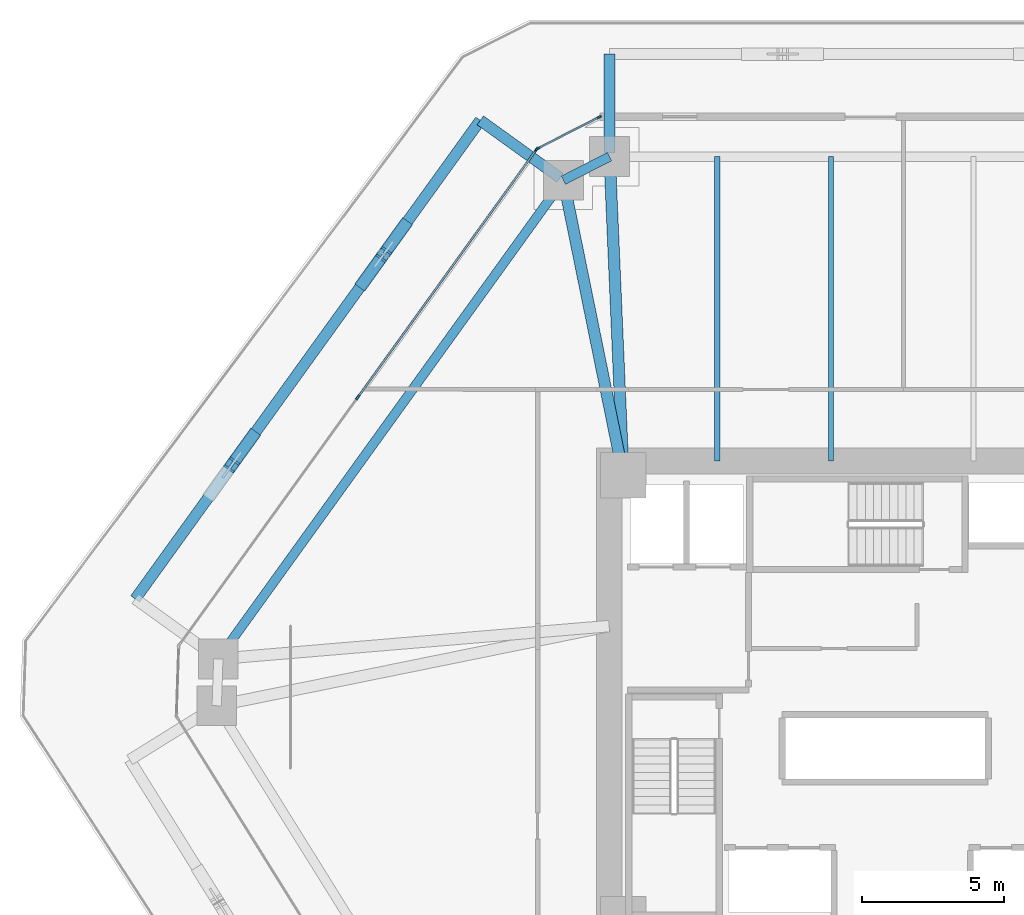
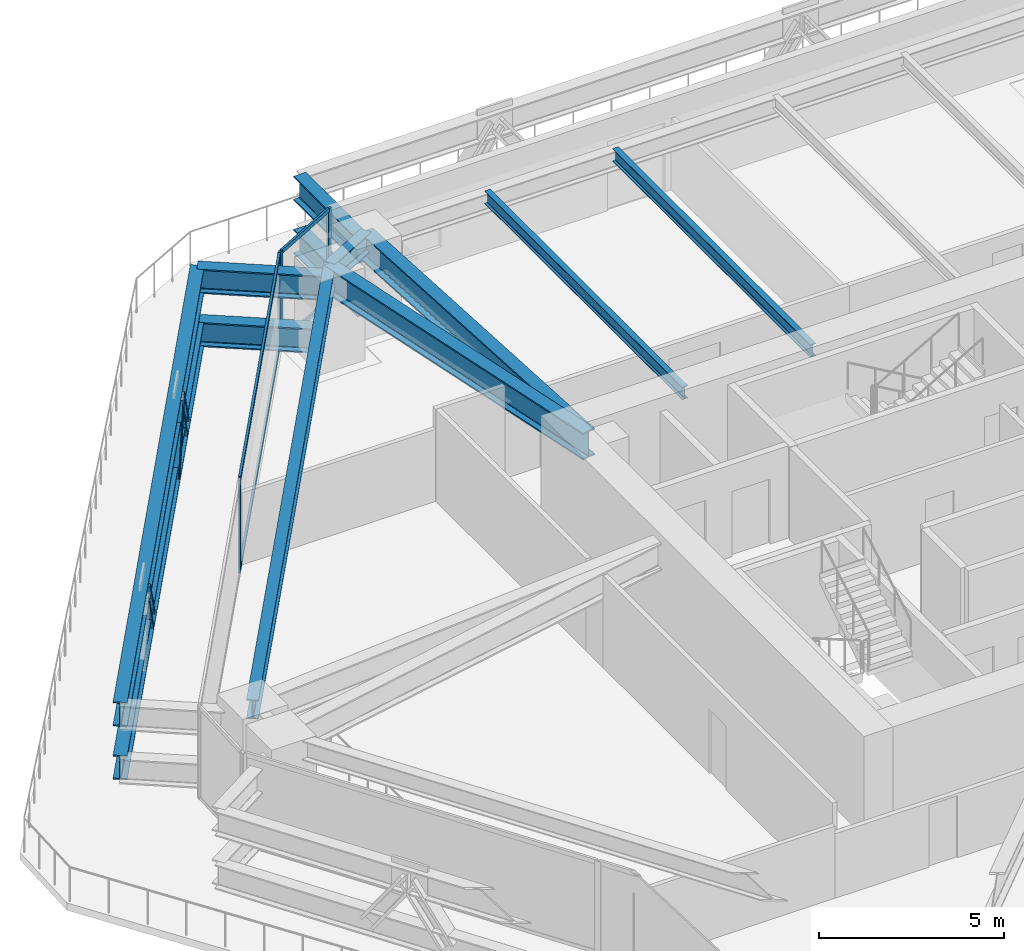
# One storey, part 7 of 20: 12 beams, 11 members, 2 elements without a shape of their own.
"""IFC4 building model written with IfcOpenShell, lengths in metres."""

from ifc_helpers import new_model, si_unit, direction, frame, origin, origin_2d, place, context, subcontext, project, spatial, rectangle, i_section, extrude, source, transform, mapped, material, layer, layer_set, material_profile, profile_set, type_object, type_shapes, element, aggregate, save


model = new_model("IFC4")

# Units and contexts
model_context = context("Model", 3, precision=1e-05, world=origin(), true_north=direction((0.0, 1.0)))
body_context = subcontext(model_context, "Body", "Model", "MODEL_VIEW")
ifc_project = project(units=[si_unit("LENGTHUNIT", "METRE"), si_unit("AREAUNIT", "SQUARE_METRE"), si_unit("VOLUMEUNIT", "CUBIC_METRE"), si_unit("PLANEANGLEUNIT", "RADIAN"), si_unit("MASSUNIT", "GRAM", prefix="KILO")], contexts=[model_context])

# Site, building, storey
site_placement = place(None, origin())
site = spatial("IfcSite", under=ifc_project, at=site_placement, CompositionType="ELEMENT")
building_placement = place(site_placement, origin())
building = spatial("IfcBuilding", under=site, at=building_placement, Name="Durnholm Broadcast Tower", CompositionType="ELEMENT")
storey_placement = place(building_placement, frame((0.0, 0.0, 32.39990234375)))
storey = spatial("IfcBuildingStorey", under=building, at=storey_placement, Name="L06", CompositionType="ELEMENT", Elevation=32.39990234375)

# Beams
ifc_material_1 = material(Name="Steel ASTM A992 Grade 50", Category="steel")
ifc_material_profile_1 = material_profile(ifc_material_1, i_section(OverallWidth=0.3291015625, OverallDepth=0.635009765625, WebThickness=0.017822265625, FlangeThickness=0.031005859375, FilletRadius=0.02783203125, at=origin_2d()), Name="W24X162")
ifc_profile_set_1 = profile_set([ifc_material_profile_1], Name="Steel ASTM A992 Grade 50")
beam_type_1 = type_object("IfcBeamType", Name="STL-SP-W24X162", PredefinedType="SPANDREL", material=ifc_profile_set_1)
shared_shape_1 = source(origin(), body_context, "Body", "SweptSolid", [
    extrude(i_section(OverallWidth=0.3291015625, OverallDepth=0.635009765625, WebThickness=0.017822265625, FlangeThickness=0.031005859375, FilletRadius=0.02783203125, at=origin_2d()), origin(), (0.0, 0.0, 1.0), 20.737060546875),
])
beam_1_placement = place(storey_placement, frame((-24.034912109375, 1.347412109375, 2.7275390625), z_axis=(0.584821933191, 0.811161701795, 0.0), x_axis=(-0.811161701795, 0.584821933191, 0.0)))
element("IfcBeam", 1, at=beam_1_placement, inside=storey, type_object=beam_type_1, Name="L06 perimeter spandrel girder 03", PredefinedType="SPANDREL", context=body_context, shape_type="MappedRepresentation", body=[
    mapped(shared_shape_1, transform((0.0, 0.0, 0.0), x_axis=(1.0, 0.0, 0.0), y_axis=(0.0, 1.0, 0.0), z_axis=(0.0, 0.0, 1.0), scale=1.0)),
])
shared_shape_2 = source(origin(), body_context, "Body", "SweptSolid", [
    extrude(i_section(OverallWidth=0.3291015625, OverallDepth=0.635009765625, WebThickness=0.017822265625, FlangeThickness=0.031005859375, FilletRadius=0.02783203125, at=origin_2d()), origin(), (0.0, 0.0, 1.0), 1.8251953125),
])
type_shapes(beam_type_1, [shared_shape_1, shared_shape_2])
beam_2_placement = place(storey_placement, frame((-11.907470703125, 18.16845703125, 2.7275390625), z_axis=(0.890187609501, 0.455594139438, 0.0), x_axis=(-0.455594139438, 0.890187609501, 0.0)))
element("IfcBeam", 2, at=beam_2_placement, inside=storey, type_object=beam_type_1, Name="L06 perimeter spandrel girder 04", PredefinedType="SPANDREL", context=body_context, shape_type="MappedRepresentation", body=[
    mapped(shared_shape_2, transform((0.0, 0.0, 0.0), x_axis=(1.0, 0.0, 0.0), y_axis=(0.0, 1.0, 0.0), z_axis=(0.0, 0.0, 1.0), scale=1.0)),
])
ifc_material_profile_2 = material_profile(ifc_material_1, i_section(OverallWidth=0.404052734375, OverallDepth=0.885009765625, WebThickness=0.0244140625, FlangeThickness=0.0439453125, FilletRadius=0.03564453125, at=origin_2d()), Name="W33X291")
ifc_profile_set_2 = profile_set([ifc_material_profile_2], Name="Steel ASTM A992 Grade 50")
beam_type_2 = type_object("IfcBeamType", Name="STL-GR-W33X291", PredefinedType="USERDEFINED", material=ifc_profile_set_2)
shared_shape_3 = source(origin(), body_context, "Body", "SweptSolid", [
    extrude(i_section(OverallWidth=0.404052734375, OverallDepth=0.885009765625, WebThickness=0.0244140625, FlangeThickness=0.0439453125, FilletRadius=0.03564453125, at=origin_2d()), origin(), (0.0, 0.0, 1.0), 10.580322265625),
])
beam_3_placement = place(storey_placement, frame((-9.800048828125, 7.800048828125, 2.6025390625), z_axis=(-0.199181458925, 0.979962625012, 0.0), x_axis=(-0.979962625012, -0.199181458925, 0.0)))
element("IfcBeam", 3, at=beam_3_placement, inside=storey, type_object=beam_type_2, Name="L06 radial primary floor girder 04", ObjectType="GIRDER", PredefinedType="USERDEFINED", context=body_context, shape_type="MappedRepresentation", body=[
    mapped(shared_shape_3, transform((0.0, 0.0, 0.0), x_axis=(1.0, 0.0, 0.0), y_axis=(0.0, 1.0, 0.0), z_axis=(0.0, 0.0, 1.0), scale=1.0)),
])
shared_shape_4 = source(origin(), body_context, "Body", "SweptSolid", [
    extrude(i_section(OverallWidth=0.404052734375, OverallDepth=0.885009765625, WebThickness=0.0244140625, FlangeThickness=0.0439453125, FilletRadius=0.03564453125, at=origin_2d()), origin(), (0.0, 0.0, 1.0), 11.21044921875),
])
type_shapes(beam_type_2, [shared_shape_3, shared_shape_4])
beam_4_placement = place(storey_placement, frame((-9.800048828125, 7.800048828125, 2.6025390625), z_axis=(-0.043055404914, 0.999072686098, 0.0), x_axis=(-0.999072686098, -0.043055404914, 0.0)))
element("IfcBeam", 4, at=beam_4_placement, inside=storey, type_object=beam_type_2, Name="L06 radial primary floor girder 05", ObjectType="GIRDER", PredefinedType="USERDEFINED", context=body_context, shape_type="MappedRepresentation", body=[
    mapped(shared_shape_4, transform((0.0, 0.0, 0.0), x_axis=(1.0, 0.0, 0.0), y_axis=(0.0, 1.0, 0.0), z_axis=(0.0, 0.0, 1.0), scale=1.0)),
])
ifc_material_profile_3 = material_profile(ifc_material_1, i_section(OverallWidth=0.180908203125, OverallDepth=0.417236328125, WebThickness=0.010986328125, FlangeThickness=0.018310546875, FilletRadius=0.01904296875, at=origin_2d()), Name="W16X57")
ifc_profile_set_3 = profile_set([ifc_material_profile_3], Name="Steel ASTM A992 Grade 50")
beam_type_3 = type_object("IfcBeamType", Name="STL-BJ-W16X57", PredefinedType="JOIST", material=ifc_profile_set_3)
shared_shape_5 = source(origin(), body_context, "Body", "SweptSolid", [
    extrude(i_section(OverallWidth=0.180908203125, OverallDepth=0.417236328125, WebThickness=0.010986328125, FlangeThickness=0.018310546875, FilletRadius=0.01904296875, at=origin_2d()), origin(), (0.0, 0.0, 1.0), 10.699951171875),
])
type_shapes(beam_type_3, [shared_shape_5])
for number, where, z_axis, x_axis, name in (
    (5, (-6.5, 8.300048828125, 2.83642578125), (0.0, 1.0, 0.0), (-1.0, 0.0, 0.0), "L06 secondary floor joist 4.2"),
    (6, (-2.5, 8.300048828125, 2.83642578125), (0.0, 1.0, 0.0), (-1.0, 0.0, 0.0), "L06 secondary floor joist 5.2"),
):
    element("IfcBeam", number, at=place(storey_placement, frame(where, z_axis=z_axis, x_axis=x_axis)), inside=storey, type_object=beam_type_3, Name=name, PredefinedType="JOIST", context=body_context, shape_type="MappedRepresentation", body=[
        mapped(shared_shape_5, transform((0.0, 0.0, 0.0), x_axis=(1.0, 0.0, 0.0), y_axis=(0.0, 1.0, 0.0), z_axis=(0.0, 0.0, 1.0), scale=1.0)),
    ])
ifc_material_profile_4 = material_profile(ifc_material_1, i_section(OverallWidth=0.385009765625, OverallDepth=0.802978515625, WebThickness=0.023681640625, FlangeThickness=0.0419921875, FilletRadius=0.032958984375, at=origin_2d()), Name="W30X261")
ifc_profile_set_4 = profile_set([ifc_material_profile_4], Name="Steel ASTM A992 Grade 50")
beam_type_4 = type_object("IfcBeamType", Name="BM-EXO-TIE", PredefinedType="USERDEFINED", material=ifc_profile_set_4)
shared_shape_6 = source(origin(), body_context, "Body", "SweptSolid", [
    extrude(i_section(OverallWidth=0.385009765625, OverallDepth=0.802978515625, WebThickness=0.023681640625, FlangeThickness=0.0419921875, FilletRadius=0.032958984375, at=origin_2d()), origin(), (0.0, 0.0, 1.0), 3.4560546875),
])
for number, where, z_axis, x_axis, name in (
    (7, (-10.28271484375, 19.14404296875, 0.550048828125), (0.0, 1.0, 0.0), (-1.0, 0.0, 0.0), "L06 zone-base exoskeleton stand-off tie bracket F4.2"),
    (8, (-10.28271484375, 19.14404296875, 2.30859375), (0.0, 1.0, 0.0), (-1.0, 0.0, 0.0), "L06 exoskeleton stand-off tie bracket F4.2"),
    (9, (-12.024169921875, 18.252685546875, 0.550048828125), (-0.811157675106, 0.584827518262, 0.0), (-0.584827518262, -0.811157675106, 0.0), "L06 zone-base exoskeleton stand-off tie bracket F5.1"),
    (10, (-12.024169921875, 18.252685546875, 2.30859375), (-0.811157675106, 0.584827518262, 0.0), (-0.584827518262, -0.811157675106, 0.0), "L06 exoskeleton stand-off tie bracket F5.1"),
):
    element("IfcBeam", number, at=place(storey_placement, frame(where, z_axis=z_axis, x_axis=x_axis)), inside=storey, type_object=beam_type_4, Name=name, ObjectType="GIRDER", PredefinedType="USERDEFINED", context=body_context, shape_type="MappedRepresentation", body=[
        mapped(shared_shape_6, transform((0.0, 0.0, 0.0), x_axis=(1.0, 0.0, 0.0), y_axis=(0.0, 1.0, 0.0), z_axis=(0.0, 0.0, 1.0), scale=1.0)),
    ])

# Members
ifc_material_2 = material(Name="Steel ASTM A913 Grade 65", Category="steel")
ifc_material_profile_5 = material_profile(ifc_material_2, i_section(OverallWidth=0.43212890625, OverallDepth=0.497802734375, WebThickness=0.0556640625, FlangeThickness=0.0888671875, FilletRadius=0.030517578125, at=origin_2d()), Name="W14X500")
ifc_profile_set_5 = profile_set([ifc_material_profile_5], Name="Steel ASTM A913 Grade 65")
member_type_1 = type_object("IfcMemberType", Name="STL-DG-W14X500", PredefinedType="BRACE", material=ifc_profile_set_5)
shared_shape_7 = source(origin(), body_context, "Body", "SweptSolid", [
    extrude(i_section(OverallWidth=0.43212890625, OverallDepth=0.497802734375, WebThickness=0.0556640625, FlangeThickness=0.0888671875, FilletRadius=0.030517578125, at=origin_2d()), origin(), (0.0, 0.0, 1.0), 2.148193359375),
])
type_shapes(member_type_1, [shared_shape_7])
for number, where, z_axis, x_axis, name in (
    (11, (-17.501708984375, 16.564697265625, 0.550048828125), (-0.335946084323, -0.465846752247, 0.818612870562), (0.81109123444, -0.58491966065, 0.0), "L06 stand-off diagrid brace F5.D1.1"),
    (12, (-18.94482421875, 14.563232421875, 0.550048828125), (0.335845256058, 0.465864536237, 0.818644121618), (-0.811185111535, 0.584789461963, 0.0), "L06 stand-off diagrid brace F5.D1.2"),
    (13, (-22.837890625, 9.163330078125, 0.550048828125), (-0.335946084323, -0.465846752247, 0.818612870562), (0.81109123444, -0.58491966065, 0.0), "L06 stand-off diagrid brace F5.D2.1"),
):
    element("IfcMember", number, at=place(storey_placement, frame(where, z_axis=z_axis, x_axis=x_axis)), inside=storey, type_object=member_type_1, Name=name, PredefinedType="BRACE", context=body_context, shape_type="MappedRepresentation", body=[
        mapped(shared_shape_7, transform((0.0, 0.0, 0.0), x_axis=(1.0, 0.0, 0.0), y_axis=(0.0, 1.0, 0.0), z_axis=(0.0, 0.0, 1.0), scale=1.0)),
    ])

# Beams
shared_shape_8 = source(origin(), body_context, "Body", "SweptSolid", [
    extrude(i_section(OverallWidth=0.385009765625, OverallDepth=0.802978515625, WebThickness=0.023681640625, FlangeThickness=0.0419921875, FilletRadius=0.032958984375, at=origin_2d()), origin(), (0.0, 0.0, 1.0), 20.737060546875),
])
type_shapes(beam_type_4, [shared_shape_6, shared_shape_8])
for number, where, z_axis, x_axis, name in (
    (14, (-14.82763671875, 20.27392578125, 0.550048828125), (-0.5848163482, -0.811165728368, 0.0), (0.811165728368, -0.5848163482, 0.0), "L06 zone-base exoskeleton collector spandrel F5"),
    (15, (-14.82763671875, 20.27392578125, 2.30859375), (-0.5848163482, -0.811165728368, 0.0), (0.811165728368, -0.5848163482, 0.0), "L06 exoskeleton collector spandrel F5"),
):
    element("IfcBeam", number, at=place(storey_placement, frame(where, z_axis=z_axis, x_axis=x_axis)), inside=storey, type_object=beam_type_4, Name=name, PredefinedType="SPANDREL", context=body_context, shape_type="MappedRepresentation", body=[
        mapped(shared_shape_8, transform((0.0, 0.0, 0.0), x_axis=(1.0, 0.0, 0.0), y_axis=(0.0, 1.0, 0.0), z_axis=(0.0, 0.0, 1.0), scale=1.0)),
    ])

# Curtain wall, members
ifc_material_3 = material(Name="Aluminium and Solar Control IGU", Category="aluminium")
ifc_layer_1 = layer(ifc_material_3, 0.1650390625)
ifc_layer_set_1 = layer_set([ifc_layer_1], Name="Aluminium and Solar Control IGU")
curtain_wall_type_1 = type_object("IfcCurtainWallType", Name="CW-SYS-5", PredefinedType="NOTDEFINED", material=ifc_layer_set_1)
curtain_wall_1_placement = place(storey_placement, origin())
curtain_wall_1 = element("IfcCurtainWall", 16, at=curtain_wall_1_placement, inside=storey, type_object=curtain_wall_type_1, Name="L06 curtain wall CW-CORNER CW-L06-CRN-03", PredefinedType="NOTDEFINED")
ifc_material_4 = material(Name="Aluminium 6063-T6", Category="aluminium")
ifc_material_profile_6 = material_profile(ifc_material_4, rectangle(XDim=0.06494140625, YDim=0.1650390625, at=origin_2d()), Name="CWM65X165")
ifc_profile_set_6 = profile_set([ifc_material_profile_6], Name="Aluminium 6063-T6")
member_type_2 = type_object("IfcMemberType", Name="CW-SYS-5-MUL", PredefinedType="MULLION", material=ifc_profile_set_6)
shared_shape_9 = source(origin(), body_context, "Body", "SweptSolid", [
    extrude(rectangle(XDim=0.06494140625, YDim=0.1650390625, at=origin_2d()), origin(), (0.0, 0.0, 1.0), 3.06005859375),
])
type_shapes(member_type_2, [shared_shape_9])
member_1_placement = place(storey_placement, frame((-12.816650390625, 19.27587890625, 0.0), z_axis=(0.0, 0.0, 1.0), x_axis=(-0.455593758406, 0.890187804512, 0.0)))
member_1 = element("IfcMember", 17, at=member_1_placement, type_object=member_type_2, Name="CW-CORNER mullion 1", PredefinedType="MULLION", context=body_context, shape_type="MappedRepresentation", body=[
    mapped(shared_shape_9, transform((0.0, 0.0, 0.0), x_axis=(1.0, 0.0, 0.0), y_axis=(0.0, 1.0, 0.0), z_axis=(0.0, 0.0, 1.0), scale=1.0)),
])
member_2_placement = place(storey_placement, frame((-10.649169921875, 20.38525390625, 0.0), z_axis=(0.0, 0.0, 1.0), x_axis=(-0.455593758406, 0.890187804512, 0.0)))
member_2 = element("IfcMember", 18, at=member_2_placement, type_object=member_type_2, Name="CW-CORNER mullion 2", PredefinedType="MULLION", context=body_context, shape_type="MappedRepresentation", body=[
    mapped(shared_shape_9, transform((0.0, 0.0, 0.0), x_axis=(1.0, 0.0, 0.0), y_axis=(0.0, 1.0, 0.0), z_axis=(0.0, 0.0, 1.0), scale=1.0)),
])
ifc_material_profile_7 = material_profile(ifc_material_4, rectangle(XDim=0.06494140625, YDim=0.1298828125, at=origin_2d()), Name="CWT65X130")
ifc_profile_set_7 = profile_set([ifc_material_profile_7], Name="Aluminium 6063-T6")
member_type_3 = type_object("IfcMemberType", Name="CW-SYS-5-TRN", PredefinedType="USERDEFINED", material=ifc_profile_set_7)
shared_shape_10 = source(origin(), body_context, "Body", "SweptSolid", [
    extrude(rectangle(XDim=0.06494140625, YDim=0.1298828125, at=origin_2d()), origin(), (0.0, 0.0, 1.0), 2.3701171875),
])
type_shapes(member_type_3, [shared_shape_10])
member_3_placement = place(storey_placement, frame((-12.787841796875, 19.29052734375, 0.03271484375), z_axis=(0.890185016934, 0.455599205033, 0.0), x_axis=(-0.455599205033, 0.890185016934, 0.0)))
member_3 = element("IfcMember", 19, at=member_3_placement, type_object=member_type_3, Name="CW-CORNER transom 1.1", ObjectType="TRANSOM", PredefinedType="USERDEFINED", context=body_context, shape_type="MappedRepresentation", body=[
    mapped(shared_shape_10, transform((0.0, 0.0, 0.0), x_axis=(1.0, 0.0, 0.0), y_axis=(0.0, 1.0, 0.0), z_axis=(0.0, 0.0, 1.0), scale=1.0)),
])
member_4_placement = place(storey_placement, frame((-12.787841796875, 19.29052734375, 3.027587890625), z_axis=(0.890185016934, 0.455599205033, 0.0), x_axis=(-0.455599205033, 0.890185016934, 0.0)))
member_4 = element("IfcMember", 20, at=member_4_placement, type_object=member_type_3, Name="CW-CORNER transom 1.2", ObjectType="TRANSOM", PredefinedType="USERDEFINED", context=body_context, shape_type="MappedRepresentation", body=[
    mapped(shared_shape_10, transform((0.0, 0.0, 0.0), x_axis=(1.0, 0.0, 0.0), y_axis=(0.0, 1.0, 0.0), z_axis=(0.0, 0.0, 1.0), scale=1.0)),
])
aggregate(curtain_wall_1, [member_1, member_2, member_3, member_4])

ifc_layer_2 = layer(ifc_material_3, 0.18994140625)
ifc_layer_set_2 = layer_set([ifc_layer_2], Name="Aluminium and Solar Control IGU")
curtain_wall_type_2 = type_object("IfcCurtainWallType", Name="CW-SYS-3", PredefinedType="NOTDEFINED", material=ifc_layer_set_2)
curtain_wall_2_placement = place(storey_placement, origin())
curtain_wall_2 = element("IfcCurtainWall", 21, at=curtain_wall_2_placement, inside=storey, type_object=curtain_wall_type_2, Name="L06 curtain wall CW-Z12-VIS CW-L06-F02", PredefinedType="NOTDEFINED")
ifc_material_profile_8 = material_profile(ifc_material_4, rectangle(XDim=0.070068359375, YDim=0.18994140625, at=origin_2d()), Name="CWM70X190")
ifc_profile_set_8 = profile_set([ifc_material_profile_8], Name="Aluminium 6063-T6")
member_type_4 = type_object("IfcMemberType", Name="CW-SYS-3-MUL", PredefinedType="MULLION", material=ifc_profile_set_8)
shared_shape_11 = source(origin(), body_context, "Body", "SweptSolid", [
    extrude(rectangle(XDim=0.070068359375, YDim=0.18994140625, at=origin_2d()), origin(), (0.0, 0.0, 1.0), 3.06005859375),
])
type_shapes(member_type_4, [shared_shape_11])
member_5_placement = place(storey_placement, frame((-19.1328125, 10.540771484375, 0.0), z_axis=(0.0, 0.0, 1.0), x_axis=(-0.81116057493, 0.584823496176, 0.0)))
member_5 = element("IfcMember", 22, at=member_5_placement, type_object=member_type_4, Name="CW-Z12-VIS mullion 2", PredefinedType="MULLION", context=body_context, shape_type="MappedRepresentation", body=[
    mapped(shared_shape_11, transform((0.0, 0.0, 0.0), x_axis=(1.0, 0.0, 0.0), y_axis=(0.0, 1.0, 0.0), z_axis=(0.0, 0.0, 1.0), scale=1.0)),
])
member_6_placement = place(storey_placement, frame((-12.8662109375, 19.232666015625, 0.0), z_axis=(0.0, 0.0, 1.0), x_axis=(-0.81116057493, 0.584823496176, 0.0)))
member_6 = element("IfcMember", 23, at=member_6_placement, type_object=member_type_4, Name="CW-Z12-VIS mullion 3", PredefinedType="MULLION", context=body_context, shape_type="MappedRepresentation", body=[
    mapped(shared_shape_11, transform((0.0, 0.0, 0.0), x_axis=(1.0, 0.0, 0.0), y_axis=(0.0, 1.0, 0.0), z_axis=(0.0, 0.0, 1.0), scale=1.0)),
])
ifc_material_profile_9 = material_profile(ifc_material_4, rectangle(XDim=0.070068359375, YDim=0.14990234375, at=origin_2d()), Name="CWT70X150")
ifc_profile_set_9 = profile_set([ifc_material_profile_9], Name="Aluminium 6063-T6")
member_type_5 = type_object("IfcMemberType", Name="CW-SYS-3-TRN", PredefinedType="USERDEFINED", material=ifc_profile_set_9)
shared_shape_12 = source(origin(), body_context, "Body", "SweptSolid", [
    extrude(rectangle(XDim=0.070068359375, YDim=0.14990234375, at=origin_2d()), origin(), (0.0, 0.0, 1.0), 10.645263671875),
])
type_shapes(member_type_5, [shared_shape_12])
member_7_placement = place(storey_placement, frame((-19.1123046875, 10.569091796875, 0.03515625), z_axis=(0.584822983179, 0.811160944786, 0.0), x_axis=(-0.811160944786, 0.584822983179, 0.0)))
member_7 = element("IfcMember", 24, at=member_7_placement, type_object=member_type_5, Name="CW-Z12-VIS transom 2.1", ObjectType="TRANSOM", PredefinedType="USERDEFINED", context=body_context, shape_type="MappedRepresentation", body=[
    mapped(shared_shape_12, transform((0.0, 0.0, 0.0), x_axis=(1.0, 0.0, 0.0), y_axis=(0.0, 1.0, 0.0), z_axis=(0.0, 0.0, 1.0), scale=1.0)),
])
member_8_placement = place(storey_placement, frame((-19.1123046875, 10.569091796875, 3.025146484375), z_axis=(0.584822983179, 0.811160944786, 0.0), x_axis=(-0.811160944786, 0.584822983179, 0.0)))
member_8 = element("IfcMember", 25, at=member_8_placement, type_object=member_type_5, Name="CW-Z12-VIS transom 2.2", ObjectType="TRANSOM", PredefinedType="USERDEFINED", context=body_context, shape_type="MappedRepresentation", body=[
    mapped(shared_shape_12, transform((0.0, 0.0, 0.0), x_axis=(1.0, 0.0, 0.0), y_axis=(0.0, 1.0, 0.0), z_axis=(0.0, 0.0, 1.0), scale=1.0)),
])
aggregate(curtain_wall_2, [member_5, member_6, member_7, member_8])

save(model, "model.ifc")
